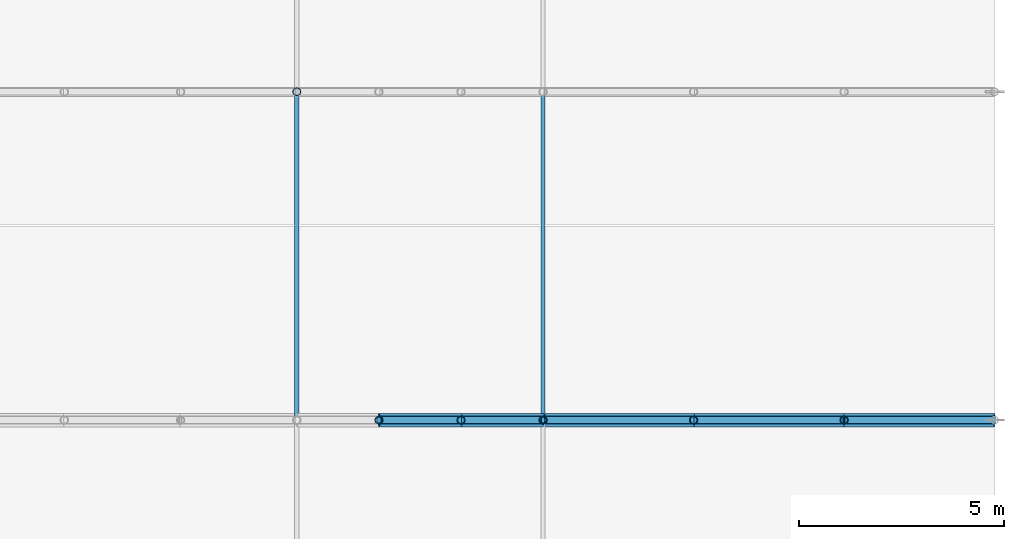
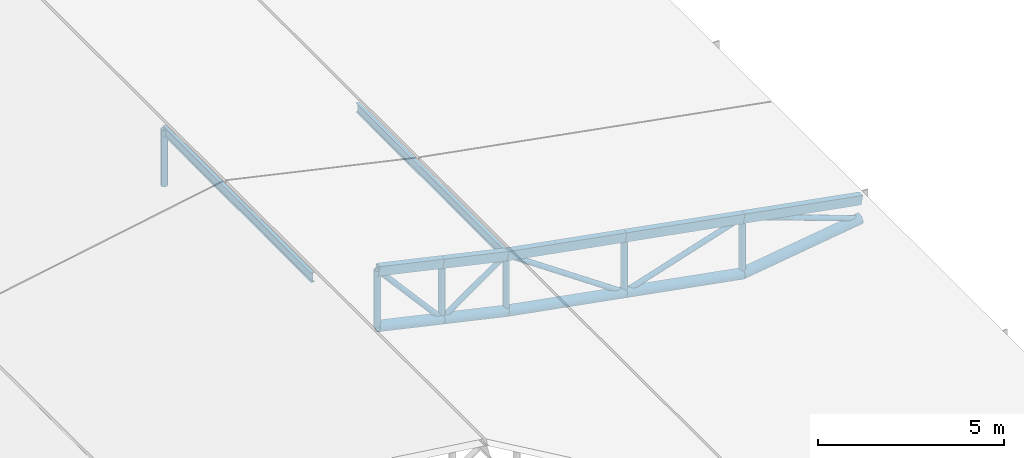
# One storey, part 10 of 28: 18 members, 5 beams.
"""IFC4 building model written with IfcOpenShell, lengths in metres."""

import ifcopenshell
import ifcopenshell.guid

model = None  # the IFC model being written
_history = None  # IfcOwnerHistory: only IFC2X3 demands one
_inside = {}  # id of a spatial element -> (the spatial element, [elements in it])
_under = {}  # id of a project, library or spatial element -> (it, [spatial elements below it])
_declared = {}  # id of a project -> (the project, [libraries it declares])
_typed = {}  # id of a type object -> (the type object, [elements of that type])
_made_of = {}  # id of a material, layer set ... -> (it, [elements and type objects made of it])


def new_model(schema):
    """Start an empty IFC model of exactly this schema.

    Asked for "IFC4X3", IfcOpenShell would pick the latest addendum, in which some entities
    have other attributes; the version numbers below select the first issue.
    IFC2X3 requires an IfcOwnerHistory on every rooted entity: one is made here for all.
    """
    global model, _history
    if schema == "IFC4X3":
        model = ifcopenshell.file(schema_version=(4, 3, 0, 0))
    else:
        model = ifcopenshell.file(schema=schema)
    _inside.clear()
    _under.clear()
    _declared.clear()
    _typed.clear()
    _made_of.clear()
    _history = None
    if model.schema == "IFC2X3":
        org = make("IfcOrganization", Name="unknown")
        user = make(
            "IfcPersonAndOrganization",
            ThePerson=make("IfcPerson", FamilyName="unknown"),
            TheOrganization=org,
        )
        app = make(
            "IfcApplication",
            ApplicationDeveloper=org,
            Version="unknown",
            ApplicationFullName="unknown",
            ApplicationIdentifier="unknown",
        )
        _history = make(
            "IfcOwnerHistory",
            OwningUser=user,
            OwningApplication=app,
            ChangeAction="ADDED",
            CreationDate=0,
        )
    return model


def make(cls, **values):
    """One entity of the class cls with the attributes given. An attribute that is None is left unset."""
    return model.create_entity(
        cls, **{name: value for name, value in values.items() if value is not None}
    )


def rooted(cls, **values):
    """An entity with a GlobalId (a new one), such as an element, a storey or a relation."""
    return make(cls, GlobalId=ifcopenshell.guid.new(), OwnerHistory=_history, **values)


def si_unit(unit_type, name, prefix=None):
    """IfcSIUnit, for example si_unit("LENGTHUNIT", "METRE", prefix="MILLI")."""
    return make("IfcSIUnit", UnitType=unit_type, Prefix=prefix, Name=name)


def assignment(units):
    """IfcUnitAssignment: the units of a project."""
    return None if units is None else make("IfcUnitAssignment", Units=units)


def point(xyz):
    """IfcCartesianPoint."""
    return None if xyz is None else make("IfcCartesianPoint", Coordinates=xyz)


def direction(xyz):
    """IfcDirection."""
    return None if xyz is None else make("IfcDirection", DirectionRatios=xyz)


def frame(location, z_axis=None, x_axis=None):
    """IfcAxis2Placement3D, a coordinate frame: its origin and axes. An axis left out is left unset."""
    return make(
        "IfcAxis2Placement3D",
        Location=point(location),
        Axis=direction(z_axis),
        RefDirection=direction(x_axis),
    )


def frame_2d(location, x_axis=None):
    """IfcAxis2Placement2D, a coordinate frame in the plane: its origin and x axis."""
    return make(
        "IfcAxis2Placement2D", Location=point(location), RefDirection=direction(x_axis)
    )


def origin():
    """The frame at (0, 0, 0) with its axes left unset."""
    return frame((0.0, 0.0, 0.0))


def origin_2d():
    """The frame at (0, 0) in the plane with its x axis left unset."""
    return frame_2d((0.0, 0.0))


def place(relative_to, where):
    """IfcLocalPlacement: puts the frame where relative to a parent placement (None: the world)."""
    return make(
        "IfcLocalPlacement", PlacementRelTo=relative_to, RelativePlacement=where
    )


def context(
    kind, dimensions, precision=None, world=None, true_north=None, identifier=None
):
    """IfcGeometricRepresentationContext, for example the 3D "Model" context."""
    return make(
        "IfcGeometricRepresentationContext",
        ContextIdentifier=identifier,
        ContextType=kind,
        CoordinateSpaceDimension=dimensions,
        Precision=precision,
        WorldCoordinateSystem=world,
        TrueNorth=true_north,
    )


def subcontext(parent, identifier, kind, view, scale=None):
    """IfcGeometricRepresentationSubContext, for example "Body" below "Model"."""
    return make(
        "IfcGeometricRepresentationSubContext",
        ContextIdentifier=identifier,
        ContextType=kind,
        ParentContext=parent,
        TargetScale=scale,
        TargetView=view,
    )


def project(units=None, contexts=None):
    """IfcProject with its units and contexts."""
    return rooted(
        "IfcProject",
        Name="project",
        RepresentationContexts=contexts,
        UnitsInContext=assignment(units),
    )


def spatial(cls, under=None, at=None, **own):
    """A site, building, storey or space (cls), placed at a placement, below another one or the project."""
    s = rooted(cls, ObjectPlacement=at, **own)
    if under is not None:
        _under.setdefault(under.id(), (under, []))[1].append(s)
    return s


def profile(cls, at=None, kind="AREA", **sizes):
    """A parametric profile (cls). Its sizes go by their IFC names, for example OverallWidth=200.0."""
    return make(cls, ProfileType=kind, Position=at, **sizes)


def hollow_rectangle(**sizes):
    """IfcRectangleHollowProfileDef."""
    return profile("IfcRectangleHollowProfileDef", **sizes)


def hollow_circle(**sizes):
    """IfcCircleHollowProfileDef."""
    return profile("IfcCircleHollowProfileDef", **sizes)


def i_section(**sizes):
    """IfcIShapeProfileDef."""
    return profile("IfcIShapeProfileDef", **sizes)


def extrude(swept, where, along, depth):
    """IfcExtrudedAreaSolid: the profile swept, set in the frame where, extruded along a direction by depth."""
    return make(
        "IfcExtrudedAreaSolid",
        SweptArea=swept,
        Position=where,
        ExtrudedDirection=direction(along),
        Depth=depth,
    )


def shape(context_of_items, identifier, shape_type, items):
    """IfcShapeRepresentation: the items that make up one representation, for example the "Body"."""
    return make(
        "IfcShapeRepresentation",
        ContextOfItems=context_of_items,
        RepresentationIdentifier=identifier,
        RepresentationType=shape_type,
        Items=items,
    )


def material(Name=None, Category=None):
    """IfcMaterial."""
    return make("IfcMaterial", Name=Name, Category=Category)


def material_profile(
    of_material, cross_section, Name=None, Category=None, Priority=None
):
    """IfcMaterialProfile: a cross section and its material."""
    return make(
        "IfcMaterialProfile",
        Name=Name,
        Material=of_material,
        Profile=cross_section,
        Priority=Priority,
        Category=Category,
    )


def profile_set(profiles, Name=None, composite=None):
    """IfcMaterialProfileSet."""
    return make(
        "IfcMaterialProfileSet",
        Name=Name,
        MaterialProfiles=profiles,
        CompositeProfile=composite,
    )


def made_of(thing, what):
    """Note that an element or type object is made of a material, layer set ...; save() writes the relation."""
    if what is not None:
        _made_of.setdefault(what.id(), (what, []))[1].append(thing)
    return thing


def type_object(cls, material=None, **own):
    """A type object (cls), such as IfcWallType, which elements share."""
    return made_of(rooted(cls, **own), material)


def element(
    cls,
    number,
    at=None,
    inside=None,
    cuts=None,
    type_object=None,
    material=None,
    context=None,
    identifier="Body",
    shape_type=None,
    held_by="IfcProductDefinitionShape",
    body=None,
    shapes=None,
    **own,
):
    """One element of the class cls, such as IfcWall. Its Tag is "e" and its number.

    at: its placement. inside: the storey or other place that contains it. cuts: it is an
    opening in that element (IfcRelVoidsElement). A single representation is given by context,
    identifier, shape_type and body (its items); several are given by shapes. held_by: the class
    of the entity that holds the representations. save() writes the other relations.
    """
    e = rooted(cls, Tag="e%d" % number, ObjectPlacement=at, **own)
    if body is not None:
        shapes = [shape(context, identifier, shape_type, body)]
    if shapes is not None:
        e.Representation = make(held_by, Representations=shapes)
    if inside is not None:
        _inside.setdefault(inside.id(), (inside, []))[1].append(e)
    if cuts is not None:
        rooted(
            "IfcRelVoidsElement", RelatingBuildingElement=cuts, RelatedOpeningElement=e
        )
    if type_object is not None:
        _typed.setdefault(type_object.id(), (type_object, []))[1].append(e)
    return made_of(e, material)


def aggregate(whole, parts):
    """IfcRelAggregates: a whole, such as a stair, and the parts it consists of."""
    return rooted("IfcRelAggregates", RelatingObject=whole, RelatedObjects=parts)


def save(model, path):
    """Write the relations noted so far, then the file.

    IfcRelAggregates (storeys below a building ...), IfcRelContainedInSpatialStructure (elements
    in a storey), IfcRelDefinesByType, IfcRelAssociatesMaterial and IfcRelDeclares: one each for
    every whole, place, type object, material and project.
    """
    for whole, parts in _under.values():
        aggregate(whole, parts)
    for where, things in _inside.values():
        rooted(
            "IfcRelContainedInSpatialStructure",
            RelatedElements=things,
            RelatingStructure=where,
        )
    for kind, things in _typed.values():
        rooted("IfcRelDefinesByType", RelatedObjects=things, RelatingType=kind)
    for what, things in _made_of.values():
        rooted("IfcRelAssociatesMaterial", RelatedObjects=things, RelatingMaterial=what)
    for by, libraries in _declared.values():
        rooted("IfcRelDeclares", RelatingContext=by, RelatedDefinitions=libraries)
    model.write(path)


model = new_model("IFC4")

# Units and contexts
model_context = context("Model", 3, precision=1e-05, world=origin(), true_north=direction((0.0, 1.0)))
body_context = subcontext(model_context, "Body", "Model", "MODEL_VIEW")
ifc_project = project(units=[si_unit("LENGTHUNIT", "METRE"), si_unit("AREAUNIT", "SQUARE_METRE"), si_unit("VOLUMEUNIT", "CUBIC_METRE"), si_unit("PLANEANGLEUNIT", "RADIAN"), si_unit("MASSUNIT", "GRAM", prefix="KILO"), si_unit("THERMODYNAMICTEMPERATUREUNIT", "KELVIN"), si_unit("POWERUNIT", "WATT")], contexts=[model_context])

# Site, building, storey
site_placement = place(None, origin())
site = spatial("IfcSite", under=ifc_project, at=site_placement, CompositionType="ELEMENT")
building_placement = place(site_placement, origin())
building = spatial("IfcBuilding", under=site, at=building_placement, Name="Tepalcoro Natatorium and Aquatics Centre", CompositionType="ELEMENT")
storey_placement = place(building_placement, frame((0.0, 0.0, 23.199951171875)))
storey = spatial("IfcBuildingStorey", under=building, at=storey_placement, Name="RF", CompositionType="ELEMENT", Elevation=23.199951171875)

# Beams
ifc_material_1 = material(Name="Terracotta Painted Hollow Steel ASTM A500 Grade C (Fy 345 MPa)", Category="masonry")
ifc_material_profile_1 = material_profile(ifc_material_1, hollow_rectangle(XDim=0.199951171875, YDim=0.300048828125, WallThickness=0.013916015625, at=origin_2d()), Name="HSS300X200X14")
ifc_profile_set_1 = profile_set([ifc_material_profile_1], Name="Terracotta Painted Hollow Steel ASTM A500 Grade C (Fy 345 MPa)")
beam_type = type_object("IfcBeamType", Name="AC_HSS300x200x14", PredefinedType="USERDEFINED", material=ifc_profile_set_1)
for number, where, z_axis, x_axis, name in (
    (1, (161.0, 28.0, -0.702880859375), (0.97561485681, 0.0, -0.21948952406), (0.0, 1.0, 0.0), "V2 Barrel-Arch Top Chord 4"),
    (2, (163.0, 28.0, -1.15283203125), (0.975589348514, 0.0, -0.219602875813), (0.0, 1.0, 0.0), "V2 Barrel-Arch Top Chord 4"),
):
    element("IfcBeam", number, at=place(storey_placement, frame(where, z_axis=z_axis, x_axis=x_axis)), inside=storey, type_object=beam_type, Name=name, ObjectType="ARCH CHORD", PredefinedType="USERDEFINED", context=body_context, shape_type="SweptSolid", body=[
        extrude(hollow_rectangle(XDim=0.199951171875, YDim=0.300048828125, WallThickness=0.013916015625, at=origin_2d()), origin(), (0.0, 0.0, 1.0), 2.050048828125),
    ])
beam_1_placement = place(storey_placement, frame((165.0, 28.0, -1.60302734375), z_axis=(0.983716546565, 0.0, -0.179726892854), x_axis=(0.0, 1.0, 0.0)))
element("IfcBeam", 3, at=beam_1_placement, inside=storey, type_object=beam_type, Name="V2 Barrel-Arch Top Chord 4", ObjectType="ARCH CHORD", PredefinedType="USERDEFINED", context=body_context, shape_type="SweptSolid", body=[
    extrude(hollow_rectangle(XDim=0.199951171875, YDim=0.300048828125, WallThickness=0.013916015625, at=origin_2d()), origin(), (0.0, 0.0, 1.0), 3.7275390625),
])
beam_2_placement = place(storey_placement, frame((168.666748046875, 28.0, -2.27294921875), z_axis=(0.983714430655, 0.0, -0.179738473679), x_axis=(0.0, 1.0, 0.0)))
element("IfcBeam", 4, at=beam_2_placement, inside=storey, type_object=beam_type, Name="V2 Barrel-Arch Top Chord 4", ObjectType="ARCH CHORD", PredefinedType="USERDEFINED", context=body_context, shape_type="SweptSolid", body=[
    extrude(hollow_rectangle(XDim=0.199951171875, YDim=0.300048828125, WallThickness=0.013916015625, at=origin_2d()), origin(), (0.0, 0.0, 1.0), 3.727294921875),
])
beam_3_placement = place(storey_placement, frame((172.333251953125, 28.0, -2.94287109375), z_axis=(0.983704964567, 0.0, -0.179790274169), x_axis=(0.0, 1.0, 0.0)))
element("IfcBeam", 5, at=beam_3_placement, inside=storey, type_object=beam_type, Name="V2 Barrel-Arch Top Chord 4", ObjectType="ARCH CHORD", PredefinedType="USERDEFINED", context=body_context, shape_type="SweptSolid", body=[
    extrude(hollow_rectangle(XDim=0.199951171875, YDim=0.300048828125, WallThickness=0.013916015625, at=origin_2d()), origin(), (0.0, 0.0, 1.0), 3.7275390625),
])

# Members
ifc_material_profile_2 = material_profile(ifc_material_1, hollow_circle(Radius=0.162109375, WallThickness=0.013916015625, at=origin_2d()), Name="CHS324X14")
ifc_profile_set_2 = profile_set([ifc_material_profile_2], Name="Terracotta Painted Hollow Steel ASTM A500 Grade C (Fy 345 MPa)")
member_type_1 = type_object("IfcMemberType", Name="MB_CH_CHS324x14", PredefinedType="CHORD", material=ifc_profile_set_2)
for number, where, z_axis, x_axis, name in (
    (6, (161.0, 28.0, -2.552978515625), (0.97561485681, 0.0, -0.21948952406), (0.0, 1.0, 0.0), "V2 Barrel-Arch Bottom Chord 4"),
    (7, (163.0, 28.0, -3.0029296875), (0.97561485681, 0.0, -0.21948952406), (0.0, 1.0, 0.0), "V2 Barrel-Arch Bottom Chord 4"),
):
    element("IfcMember", number, at=place(storey_placement, frame(where, z_axis=z_axis, x_axis=x_axis)), inside=storey, type_object=member_type_1, Name=name, PredefinedType="CHORD", context=body_context, shape_type="SweptSolid", body=[
        extrude(hollow_circle(Radius=0.162109375, WallThickness=0.013916015625, at=origin_2d()), origin(), (0.0, 0.0, 1.0), 2.050048828125),
    ])
member_1_placement = place(storey_placement, frame((165.0, 28.0, -3.452880859375), z_axis=(0.983704964567, 0.0, -0.179790274169), x_axis=(0.0, 1.0, 0.0)))
element("IfcMember", 8, at=member_1_placement, inside=storey, type_object=member_type_1, Name="V2 Barrel-Arch Bottom Chord 4", PredefinedType="CHORD", context=body_context, shape_type="SweptSolid", body=[
    extrude(hollow_circle(Radius=0.162109375, WallThickness=0.013916015625, at=origin_2d()), origin(), (0.0, 0.0, 1.0), 3.7275390625),
])
member_2_placement = place(storey_placement, frame((168.666748046875, 28.0, -4.123046875), z_axis=(0.983714430655, 0.0, -0.179738473679), x_axis=(0.0, 1.0, 0.0)))
element("IfcMember", 9, at=member_2_placement, inside=storey, type_object=member_type_1, Name="V2 Barrel-Arch Bottom Chord 4", PredefinedType="CHORD", context=body_context, shape_type="SweptSolid", body=[
    extrude(hollow_circle(Radius=0.162109375, WallThickness=0.013916015625, at=origin_2d()), origin(), (0.0, 0.0, 1.0), 3.727294921875),
])
member_3_placement = place(storey_placement, frame((172.333251953125, 28.0, -4.79296875), z_axis=(0.98971353676, 0.0, 0.143063325675), x_axis=(0.0, 1.0, 0.0)))
element("IfcMember", 10, at=member_3_placement, inside=storey, type_object=member_type_1, Name="V2 Barrel-Arch Bottom Chord 4", PredefinedType="CHORD", context=body_context, shape_type="SweptSolid", body=[
    extrude(hollow_circle(Radius=0.162109375, WallThickness=0.013916015625, at=origin_2d()), origin(), (0.0, 0.0, 1.0), 3.704833984375),
])
ifc_material_2 = material(Name="Steel ASTM A992 Grade 50 (Fy 345 MPa)", Category="steel")
ifc_material_profile_3 = material_profile(ifc_material_2, i_section(OverallWidth=0.10205078125, OverallDepth=0.31201171875, WebThickness=0.007080078125, FlangeThickness=0.010986328125, FilletRadius=0.013916015625, at=origin_2d()), Name="W12X22")
ifc_profile_set_3 = profile_set([ifc_material_profile_3], Name="Steel ASTM A992 Grade 50 (Fy 345 MPa)")
member_type_2 = type_object("IfcMemberType", Name="MB_PR_W12x22", PredefinedType="PURLIN", material=ifc_profile_set_3)
for number, where, z_axis, x_axis, name in (
    (11, (159.0, 28.0, -0.259033203125), (0.0, 1.0, 0.0), (-1.0, 0.0, 0.0), "V2 Barrel-Arch Roof Purlin"),
    (12, (165.0, 28.0, -1.60888671875), (0.0, 1.0, 0.0), (-1.0, 0.0, 0.0), "V2 Barrel-Arch Roof Purlin"),
):
    element("IfcMember", number, at=place(storey_placement, frame(where, z_axis=z_axis, x_axis=x_axis)), inside=storey, type_object=member_type_2, Name=name, PredefinedType="PURLIN", context=body_context, shape_type="SweptSolid", body=[
        extrude(i_section(OverallWidth=0.10205078125, OverallDepth=0.31201171875, WebThickness=0.007080078125, FlangeThickness=0.010986328125, FilletRadius=0.013916015625, at=origin_2d()), origin(), (0.0, 0.0, 1.0), 8.0),
    ])
ifc_material_profile_4 = material_profile(ifc_material_1, hollow_circle(Radius=0.096923828125, WallThickness=0.010009765625, at=origin_2d()), Name="CHS194X10")
ifc_profile_set_4 = profile_set([ifc_material_profile_4], Name="Terracotta Painted Hollow Steel ASTM A500 Grade C (Fy 345 MPa)")
member_type_3 = type_object("IfcMemberType", Name="MB_PS_CHS194x10", PredefinedType="POST", material=ifc_profile_set_4)
for number, where, z_axis, x_axis, name in (
    (13, (161.0, 28.0, -2.552978515625), (0.0, 0.0, 1.0), (1.0, 0.0, 0.0), "V2 Barrel-Arch Post 4"),
    (14, (163.0, 28.0, -3.0029296875), (0.0, 0.0, 1.0), (1.0, 0.0, 0.0), "V2 Barrel-Arch Post 4"),
):
    element("IfcMember", number, at=place(storey_placement, frame(where, z_axis=z_axis, x_axis=x_axis)), inside=storey, type_object=member_type_3, Name=name, PredefinedType="POST", context=body_context, shape_type="SweptSolid", body=[
        extrude(hollow_circle(Radius=0.096923828125, WallThickness=0.010009765625, at=origin_2d()), origin(), (0.0, 0.0, 1.0), 1.85009765625),
    ])
member_4_placement = place(storey_placement, frame((165.0, 28.0, -3.452880859375), z_axis=(0.0, 0.0, 1.0), x_axis=(1.0, 0.0, 0.0)))
element("IfcMember", 15, at=member_4_placement, inside=storey, type_object=member_type_3, Name="V2 Barrel-Arch Post 4", PredefinedType="POST", context=body_context, shape_type="SweptSolid", body=[
    extrude(hollow_circle(Radius=0.096923828125, WallThickness=0.010009765625, at=origin_2d()), origin(), (0.0, 0.0, 1.0), 1.849853515625),
])
for number, where, z_axis, x_axis, name in (
    (16, (168.666748046875, 28.0, -4.123046875), (0.0, 0.0, 1.0), (1.0, 0.0, 0.0), "V2 Barrel-Arch Post 4"),
    (17, (172.333251953125, 28.0, -4.79296875), (0.0, 0.0, 1.0), (1.0, 0.0, 0.0), "V2 Barrel-Arch Post 4"),
):
    element("IfcMember", number, at=place(storey_placement, frame(where, z_axis=z_axis, x_axis=x_axis)), inside=storey, type_object=member_type_3, Name=name, PredefinedType="POST", context=body_context, shape_type="SweptSolid", body=[
        extrude(hollow_circle(Radius=0.096923828125, WallThickness=0.010009765625, at=origin_2d()), origin(), (0.0, 0.0, 1.0), 1.85009765625),
    ])
member_5_placement = place(storey_placement, frame((159.0, 36.0, -2.077880859375), z_axis=(0.0, 0.0, 1.0), x_axis=(1.0, 0.0, 0.0)))
element("IfcMember", 18, at=member_5_placement, inside=storey, type_object=member_type_3, Name="V2 Barrel-Arch Post 5", PredefinedType="POST", context=body_context, shape_type="SweptSolid", body=[
    extrude(hollow_circle(Radius=0.096923828125, WallThickness=0.010009765625, at=origin_2d()), origin(), (0.0, 0.0, 1.0), 1.849853515625),
])
ifc_material_profile_5 = material_profile(ifc_material_1, hollow_circle(Radius=0.083984375, WallThickness=0.011962890625, at=origin_2d()), Name="CHS168X12")
ifc_profile_set_5 = profile_set([ifc_material_profile_5], Name="Terracotta Painted Hollow Steel ASTM A500 Grade C (Fy 345 MPa)")
member_type_4 = type_object("IfcMemberType", Name="MB_ST_CHS168x12", PredefinedType="STRUT", material=ifc_profile_set_5)
member_6_placement = place(storey_placement, frame((161.0, 28.0, -0.702880859375), z_axis=(0.65617078259, 0.0, -0.754612419773), x_axis=(0.0, 1.0, 0.0)))
element("IfcMember", 19, at=member_6_placement, inside=storey, type_object=member_type_4, Name="V2 Barrel-Arch Web Diagonal 4", PredefinedType="STRUT", context=body_context, shape_type="SweptSolid", body=[
    extrude(hollow_circle(Radius=0.083984375, WallThickness=0.011962890625, at=origin_2d()), origin(), (0.0, 0.0, 1.0), 3.048095703125),
])
member_7_placement = place(storey_placement, frame((163.0, 28.0, -3.0029296875), z_axis=(0.819250713189, 0.0, 0.573435496756), x_axis=(0.0, 1.0, 0.0)))
element("IfcMember", 20, at=member_7_placement, inside=storey, type_object=member_type_4, Name="V2 Barrel-Arch Web Diagonal 4", PredefinedType="STRUT", context=body_context, shape_type="SweptSolid", body=[
    extrude(hollow_circle(Radius=0.083984375, WallThickness=0.011962890625, at=origin_2d()), origin(), (0.0, 0.0, 1.0), 2.441162109375),
])
member_8_placement = place(storey_placement, frame((165.0, 28.0, -1.60302734375), z_axis=(0.82413317395, 0.0, -0.566396073075), x_axis=(0.0, 1.0, 0.0)))
element("IfcMember", 21, at=member_8_placement, inside=storey, type_object=member_type_4, Name="V2 Barrel-Arch Web Diagonal 4", PredefinedType="STRUT", context=body_context, shape_type="SweptSolid", body=[
    extrude(hollow_circle(Radius=0.083984375, WallThickness=0.011962890625, at=origin_2d()), origin(), (0.0, 0.0, 1.0), 4.44921875),
])
member_9_placement = place(storey_placement, frame((168.666748046875, 28.0, -4.123046875), z_axis=(0.9519031787, 0.0, 0.306398985606), x_axis=(0.0, 1.0, 0.0)))
element("IfcMember", 22, at=member_9_placement, inside=storey, type_object=member_type_4, Name="V2 Barrel-Arch Web Diagonal 4", PredefinedType="STRUT", context=body_context, shape_type="SweptSolid", body=[
    extrude(hollow_circle(Radius=0.083984375, WallThickness=0.011962890625, at=origin_2d()), origin(), (0.0, 0.0, 1.0), 3.851806640625),
])
member_10_placement = place(storey_placement, frame((172.333251953125, 28.0, -2.94287109375), z_axis=(0.9408842174, 0.0, -0.338728341666), x_axis=(0.0, 1.0, 0.0)))
element("IfcMember", 23, at=member_10_placement, inside=storey, type_object=member_type_4, Name="V2 Barrel-Arch Web Diagonal 4", PredefinedType="STRUT", context=body_context, shape_type="SweptSolid", body=[
    extrude(hollow_circle(Radius=0.083984375, WallThickness=0.011962890625, at=origin_2d()), origin(), (0.0, 0.0, 1.0), 3.897216796875),
])

save(model, "model.ifc")
